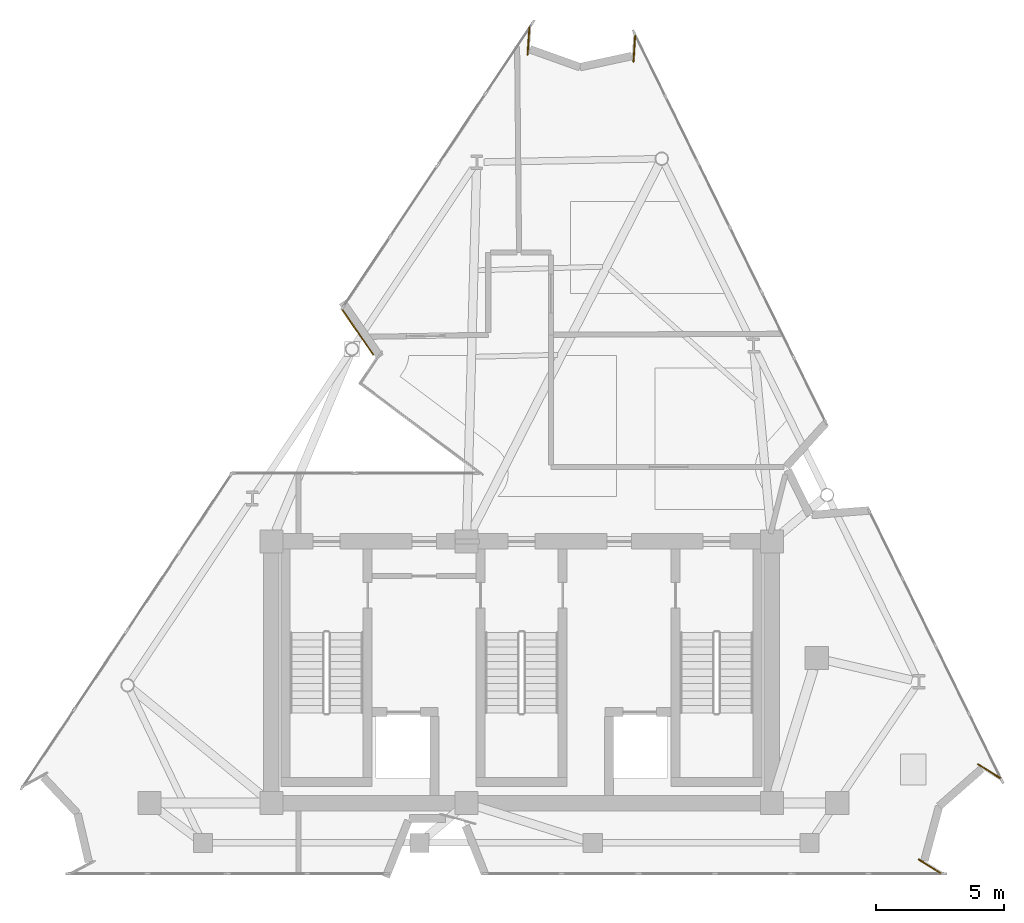
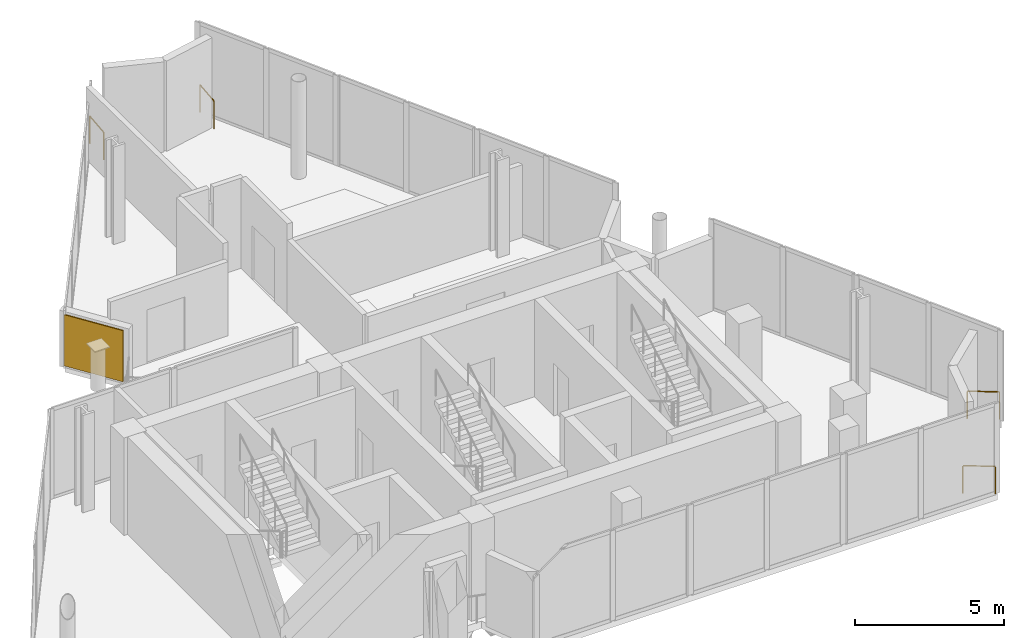
# One storey, part 9 of 9: 4 railings, 1 covering.
"""IFC4 building model written with IfcOpenShell, lengths in metres."""

from ifc_helpers import new_model, si_unit, direction, frame, origin, origin_2d, place, context, subcontext, project, spatial, rectangle, circle, extrude, material, layer, layer_set, type_object, element, save


model = new_model("IFC4")

# Units and contexts
model_context = context("Model", 3, precision=1e-05, world=origin(), true_north=direction((0.0, 1.0)))
body_context = subcontext(model_context, "Body", "Model", "MODEL_VIEW")
ifc_project = project(units=[si_unit("LENGTHUNIT", "METRE"), si_unit("AREAUNIT", "SQUARE_METRE"), si_unit("VOLUMEUNIT", "CUBIC_METRE"), si_unit("PLANEANGLEUNIT", "RADIAN"), si_unit("MASSUNIT", "GRAM", prefix="KILO")], contexts=[model_context])

# Site, building, storey
site_placement = place(None, origin())
site = spatial("IfcSite", under=ifc_project, at=site_placement, CompositionType="ELEMENT")
building_placement = place(site_placement, origin())
building = spatial("IfcBuilding", under=site, at=building_placement, Name="Almagre Mirador Tower", CompositionType="ELEMENT")
storey_placement = place(building_placement, frame((0.0, 0.0, 314.5)))
storey = spatial("IfcBuildingStorey", under=building, at=storey_placement, Name="L81", CompositionType="ELEMENT", Elevation=314.5)

# Covering
ifc_material_1 = material(Name="Almagre terracotta architectural cladding", Category="masonry")
ifc_layer = layer(ifc_material_1, 0.044921875)
ifc_layer_set = layer_set([ifc_layer], Name="Almagre terracotta architectural cladding")
covering_type = type_object("IfcCoveringType", Name="COV-CLAD-ALMAGRE", PredefinedType="CLADDING", material=ifc_layer_set)
covering_placement = place(storey_placement, frame((30.906494140625, 22.912353515625, 0.099853515625), z_axis=(0.0, 0.0, 1.0), x_axis=(-0.567484530014, 0.823384058745, 0.0)))
element("IfcCovering", 1, at=covering_placement, inside=storey, type_object=covering_type, Name="L81 almagre terracotta pier cladding", PredefinedType="CLADDING", context=body_context, shape_type="SweptSolid", body=[
    extrude(rectangle(XDim=2.18701171875, YDim=0.044921875, at=origin_2d()), origin(), (0.0, 0.0, 1.0), 2.10009765625),
])

# Railings
ifc_material_2 = material(Name="Black anodized aluminium", Category="aluminium")
railing_type = type_object("IfcRailingType", Name="RLG-BAL-1150", PredefinedType="BALUSTRADE", material=ifc_material_2)
railing_1_placement = place(storey_placement, frame((37.602294921875, 34.77587890625, 0.0)))
element("IfcRailing", 2, at=railing_1_placement, inside=storey, type_object=railing_type, Name="L81 perimeter edge balustrade 03", PredefinedType="BALUSTRADE", context=body_context, shape_type="SweptSolid", body=[
    extrude(circle(Radius=0.02392578125, at=origin_2d()), frame((0.0, 0.0, 1.1259765625), z_axis=(-0.065466988869, -0.997854735605, 0.0), x_axis=(0.997854735605, -0.065466988869, 0.0)), (0.0, 0.0, 1.0), 1.062744140625),
    extrude(circle(Radius=0.02099609375, at=origin_2d()), origin(), (0.0, 0.0, 1.0), 1.101806640625),
    extrude(circle(Radius=0.02099609375, at=origin_2d()), frame((-0.069580078125, -1.060546875, 0.0)), (0.0, 0.0, 1.0), 1.101806640625),
])
railing_2_placement = place(storey_placement, frame((41.658447265625, 33.444091796875, 0.0)))
element("IfcRailing", 3, at=railing_2_placement, inside=storey, type_object=railing_type, Name="L81 perimeter edge balustrade 04", PredefinedType="BALUSTRADE", context=body_context, shape_type="SweptSolid", body=[
    extrude(circle(Radius=0.02392578125, at=origin_2d()), frame((0.0, 0.0, 1.1259765625), z_axis=(0.065710769417, 0.997838711808, 0.0), x_axis=(-0.997838711808, 0.065710769417, 0.0)), (0.0, 0.0, 1.0), 1.0625),
    extrude(circle(Radius=0.02099609375, at=origin_2d()), origin(), (0.0, 0.0, 1.0), 1.101806640625),
    extrude(circle(Radius=0.02099609375, at=origin_2d()), frame((0.06982421875, 1.060302734375, 0.0)), (0.0, 0.0, 1.0), 1.101806640625),
])
railing_3_placement = place(storey_placement, frame((56.009765625, 5.4873046875, 0.0)))
element("IfcRailing", 4, at=railing_3_placement, inside=storey, type_object=railing_type, Name="L81 perimeter edge balustrade 05", PredefinedType="BALUSTRADE", context=body_context, shape_type="SweptSolid", body=[
    extrude(circle(Radius=0.02392578125, at=origin_2d()), frame((0.0, 0.0, 1.1259765625), z_axis=(-0.848626010961, 0.528993283058, 0.0), x_axis=(-0.528993283058, -0.848626010961, 0.0)), (0.0, 0.0, 1.0), 1.091552734375),
    extrude(circle(Radius=0.02099609375, at=origin_2d()), origin(), (0.0, 0.0, 1.0), 1.101806640625),
    extrude(circle(Radius=0.02099609375, at=origin_2d()), frame((-0.92626953125, 0.577392578125, 0.0)), (0.0, 0.0, 1.0), 1.101806640625),
])
railing_4_placement = place(storey_placement, frame((52.7744140625, 2.355712890625, 0.0)))
element("IfcRailing", 5, at=railing_4_placement, inside=storey, type_object=railing_type, Name="L81 perimeter edge balustrade 06", PredefinedType="BALUSTRADE", context=body_context, shape_type="SweptSolid", body=[
    extrude(circle(Radius=0.02392578125, at=origin_2d()), frame((0.0, 0.0, 1.1259765625), z_axis=(0.849027604088, -0.528348490578, 0.0), x_axis=(0.528348490578, 0.849027604088, 0.0)), (0.0, 0.0, 1.0), 1.091064453125),
    extrude(circle(Radius=0.02099609375, at=origin_2d()), origin(), (0.0, 0.0, 1.0), 1.101806640625),
    extrude(circle(Radius=0.02099609375, at=origin_2d()), frame((0.92626953125, -0.576416015625, 0.0)), (0.0, 0.0, 1.0), 1.101806640625),
])

save(model, "model.ifc")
